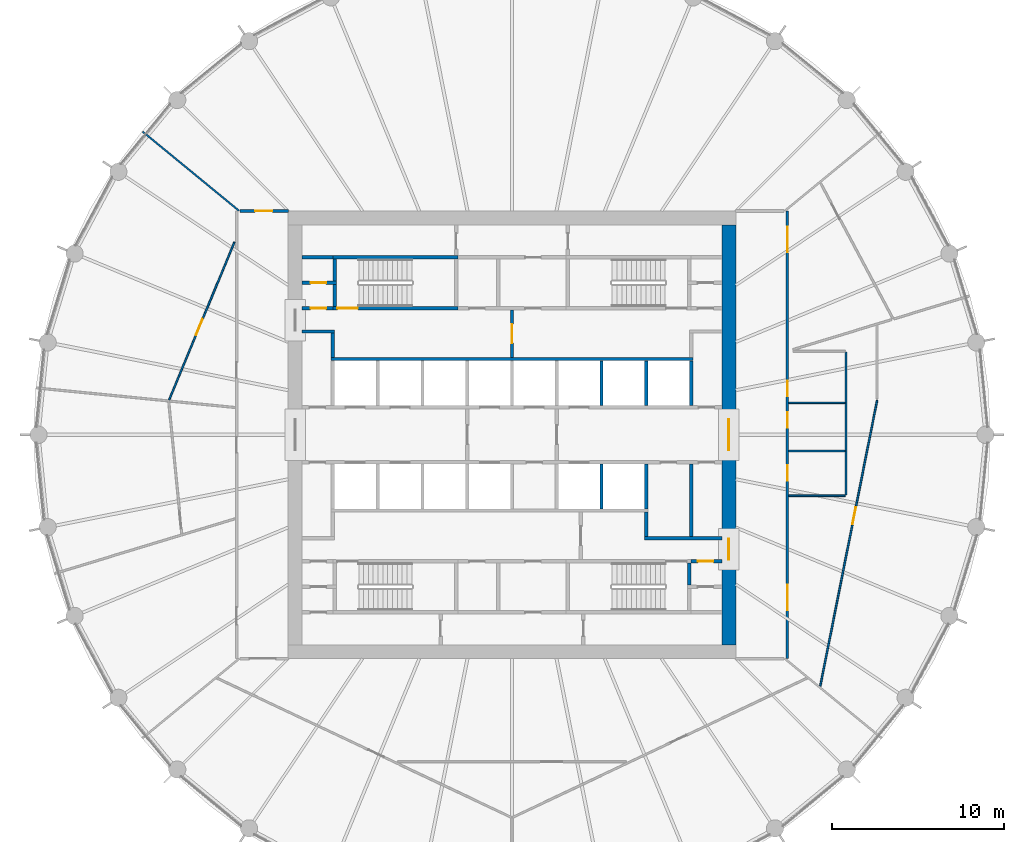
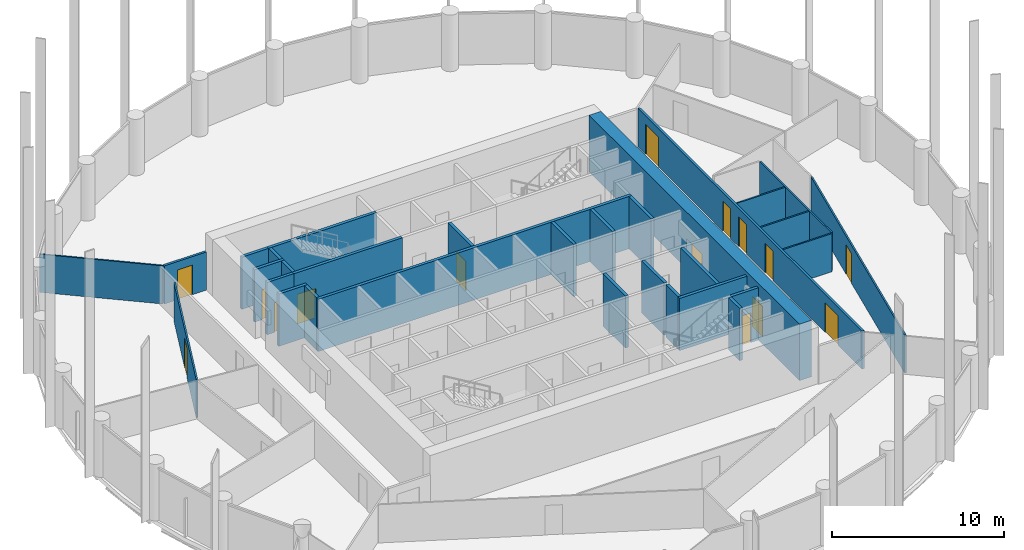
# One storey, part 6 of 9: 31 walls, 15 doors, 15 openings.
"""IFC4 building model written with IfcOpenShell, lengths in metres."""

from ifc_helpers import new_model, si_unit, direction, frame, frame_2d, origin, place, context, subcontext, project, spatial, polyline, rectangle, outline, extrude, material, layer, layer_set, type_object, element, fill, save


model = new_model("IFC4")

# Units and contexts
model_context = context("Model", 3, precision=1e-05, world=origin(), true_north=direction((0.0, 1.0)))
body_context = subcontext(model_context, "Body", "Model", "MODEL_VIEW")
ifc_project = project(units=[si_unit("LENGTHUNIT", "METRE"), si_unit("AREAUNIT", "SQUARE_METRE"), si_unit("VOLUMEUNIT", "CUBIC_METRE"), si_unit("PLANEANGLEUNIT", "RADIAN"), si_unit("MASSUNIT", "GRAM", prefix="KILO")], contexts=[model_context])

# Site, building, storey
site_placement = place(None, origin())
site = spatial("IfcSite", under=ifc_project, at=site_placement, CompositionType="ELEMENT")
building_placement = place(site_placement, origin())
building = spatial("IfcBuilding", under=site, at=building_placement, Name="Corvane Civic Tower", CompositionType="ELEMENT")
storey_placement = place(building_placement, frame((0.0, 0.0, 217.5)))
storey = spatial("IfcBuildingStorey", under=building, at=storey_placement, Name="L51", CompositionType="ELEMENT", Elevation=217.5)

# Wall, openings, doors
ifc_material_1 = material(Name="Concrete C50/60", Category="concrete")
ifc_layer_1 = layer(ifc_material_1, 0.800048828125)
ifc_layer_set_1 = layer_set([ifc_layer_1], Name="Concrete C50/60")
wall_type_1 = type_object("IfcWallType", Name="CORE WALL 800 C50/60", PredefinedType="SHEAR", material=ifc_layer_set_1)
wall_1_placement = place(storey_placement, frame((12.60009765625, -12.199951171875, 0.0), z_axis=(0.0, 0.0, 1.0), x_axis=(0.0, 1.0, 0.0)))
wall_1 = element("IfcWall", 1, at=wall_1_placement, inside=storey, type_object=wall_type_1, Name="W-L51-core-E", PredefinedType="SHEAR", context=body_context, shape_type="SweptSolid", body=[
    extrude(rectangle(XDim=24.39990234375, YDim=0.800048828125, at=frame_2d((12.199951171875, 0.0))), origin(), (0.0, 0.0, 1.0), 4.0),
])
opening_1_placement = place(wall_1_placement, frame((11.300048828125, 0.0, 0.0)))
opening_1 = element("IfcOpeningElement", 2, at=opening_1_placement, cuts=wall_1, Name="Opening L51.C35", PredefinedType="OPENING", context=body_context, shape_type="SweptSolid", body=[
    extrude(rectangle(XDim=1.800048828125, YDim=2.10009765625, at=frame_2d((0.89990234375, 1.050048828125))), frame((0.0, 0.409912109375, 0.0), z_axis=(0.0, -1.0, 0.0), x_axis=(1.0, 0.0, 0.0)), (0.0, 0.0, 1.0), 0.820068359375),
])
opening_2_placement = place(wall_1_placement, frame((4.949951171875, 0.0, 0.0)))
opening_2 = element("IfcOpeningElement", 3, at=opening_2_placement, cuts=wall_1, Name="Opening L51.C37", PredefinedType="OPENING", context=body_context, shape_type="SweptSolid", body=[
    extrude(rectangle(XDim=1.199951171875, YDim=2.10009765625, at=frame_2d((0.60009765625, 1.050048828125))), frame((0.0, 0.409912109375, 0.0), z_axis=(0.0, -1.0, 0.0), x_axis=(1.0, 0.0, 0.0)), (0.0, 0.0, 1.0), 0.820068359375),
])
ifc_material_2 = material(Name="Steel fire door leaf", Category="steel")
door_type_1 = type_object("IfcDoorType", Name="CR-DOOR-CORE-1800", OperationType="DOUBLE_DOOR_SINGLE_SWING", PredefinedType="DOOR", material=ifc_material_2)
door_1_placement = place(opening_1_placement, origin())
door_1 = element("IfcDoor", 4, at=door_1_placement, inside=storey, type_object=door_type_1, Name="L51 door", OperationType="DOUBLE_DOOR_SINGLE_SWING", OverallHeight=2.10009765625, OverallWidth=1.800048828125, PredefinedType="DOOR", context=body_context, shape_type="SweptSolid", body=[
    extrude(rectangle(XDim=1.800048828125, YDim=2.10009765625, at=frame_2d((0.89990234375, 1.050048828125))), frame((0.0, 0.02490234375, 0.0), z_axis=(0.0, -1.0, 0.0), x_axis=(1.0, 0.0, 0.0)), (0.0, 0.0, 1.0), 0.050048828125),
])
fill(opening_1, door_1)
door_2_placement = place(opening_2_placement, origin())
door_2 = element("IfcDoor", 5, at=door_2_placement, inside=storey, type_object=door_type_1, Name="L51 door", OperationType="DOUBLE_DOOR_SINGLE_SWING", OverallHeight=2.10009765625, OverallWidth=1.199951171875, PredefinedType="DOOR", context=body_context, shape_type="SweptSolid", body=[
    extrude(rectangle(XDim=1.199951171875, YDim=2.10009765625, at=frame_2d((0.60009765625, 1.050048828125))), frame((0.0, 0.02490234375, 0.0), z_axis=(0.0, -1.0, 0.0), x_axis=(1.0, 0.0, 0.0)), (0.0, 0.0, 1.0), 0.050048828125),
])
fill(opening_2, door_2)

# Wall, opening, door
ifc_material_3 = material(Name="Concrete C30/37", Category="concrete")
ifc_layer_2 = layer(ifc_material_3, 0.199951171875)
ifc_layer_set_2 = layer_set([ifc_layer_2], Name="Concrete C30/37")
wall_type_2 = type_object("IfcWallType", Name="CR-WALL-200", PredefinedType="PARTITIONING", material=ifc_layer_set_2)
wall_2_placement = place(storey_placement, frame((10.39990234375, -7.35009765625, 0.0), z_axis=(0.0, 0.0, 1.0), x_axis=(1.0, 0.0, 0.0)))
wall_2 = element("IfcWall", 6, at=wall_2_placement, inside=storey, type_object=wall_type_2, Name="L51 core partition wall", PredefinedType="PARTITIONING", context=body_context, shape_type="SweptSolid", body=[
    extrude(rectangle(XDim=1.800048828125, YDim=0.199951171875, at=frame_2d((0.89990234375, 0.0))), origin(), (0.0, 0.0, 1.0), 3.699951171875),
])
opening_3_placement = place(wall_2_placement, frame((0.39990234375, 0.0, 0.0)))
opening_3 = element("IfcOpeningElement", 7, at=opening_3_placement, cuts=wall_2, Name="Opening L51.C24", PredefinedType="OPENING", context=body_context, shape_type="SweptSolid", body=[
    extrude(rectangle(XDim=0.89990234375, YDim=2.10009765625, at=frame_2d((0.449951171875, 1.050048828125))), frame((0.0, 0.10986328125, 0.0), z_axis=(0.0, -1.0, 0.0), x_axis=(1.0, 0.0, 0.0)), (0.0, 0.0, 1.0), 0.219970703125),
])
ifc_material_4 = material(Name="Steel fire door leaf", Category="steel")
door_type_2 = type_object("IfcDoorType", Name="CR-DOOR-900", OperationType="SINGLE_SWING_LEFT", PredefinedType="DOOR", material=ifc_material_4)
door_3_placement = place(opening_3_placement, origin())
door_3 = element("IfcDoor", 8, at=door_3_placement, inside=storey, type_object=door_type_2, Name="L51 door", OperationType="SINGLE_SWING_LEFT", OverallHeight=2.10009765625, OverallWidth=0.89990234375, PredefinedType="DOOR", context=body_context, shape_type="SweptSolid", body=[
    extrude(rectangle(XDim=0.89990234375, YDim=2.10009765625, at=frame_2d((0.449951171875, 1.050048828125))), frame((0.0, 0.02490234375, 0.0), z_axis=(0.0, -1.0, 0.0), x_axis=(1.0, 0.0, 0.0)), (0.0, 0.0, 1.0), 0.050048828125),
])
fill(opening_3, door_3)

wall_3_placement = place(storey_placement, frame((-12.199951171875, 7.35009765625, 0.0), z_axis=(0.0, 0.0, 1.0), x_axis=(1.0, 0.0, 0.0)))
wall_3 = element("IfcWall", 9, at=wall_3_placement, inside=storey, type_object=wall_type_2, Name="L51 core partition wall", PredefinedType="PARTITIONING", context=body_context, shape_type="SweptSolid", body=[
    extrude(rectangle(XDim=1.800048828125, YDim=0.199951171875, at=frame_2d((0.89990234375, 0.0))), origin(), (0.0, 0.0, 1.0), 3.699951171875),
])
opening_4_placement = place(wall_3_placement, frame((0.5, 0.0, 0.0)))
opening_4 = element("IfcOpeningElement", 10, at=opening_4_placement, cuts=wall_3, Name="Opening L51.C17", PredefinedType="OPENING", context=body_context, shape_type="SweptSolid", body=[
    extrude(rectangle(XDim=0.89990234375, YDim=2.10009765625, at=frame_2d((0.449951171875, 1.050048828125))), frame((0.0, 0.10986328125, 0.0), z_axis=(0.0, -1.0, 0.0), x_axis=(1.0, 0.0, 0.0)), (0.0, 0.0, 1.0), 0.219970703125),
])
door_4_placement = place(opening_4_placement, origin())
door_4 = element("IfcDoor", 11, at=door_4_placement, inside=storey, type_object=door_type_2, Name="L51 door", OperationType="SINGLE_SWING_LEFT", OverallHeight=2.10009765625, OverallWidth=0.89990234375, PredefinedType="DOOR", context=body_context, shape_type="SweptSolid", body=[
    extrude(rectangle(XDim=0.89990234375, YDim=2.10009765625, at=frame_2d((0.449951171875, 1.050048828125))), frame((0.0, 0.02490234375, 0.0), z_axis=(0.0, -1.0, 0.0), x_axis=(1.0, 0.0, 0.0)), (0.0, 0.0, 1.0), 0.050048828125),
])
fill(opening_4, door_4)

wall_4_placement = place(storey_placement, frame((-12.199951171875, 8.824951171875, 0.0), z_axis=(0.0, 0.0, 1.0), x_axis=(1.0, 0.0, 0.0)))
wall_4 = element("IfcWall", 12, at=wall_4_placement, inside=storey, type_object=wall_type_2, Name="L51 partition wall", PredefinedType="PARTITIONING", context=body_context, shape_type="SweptSolid", body=[
    extrude(rectangle(XDim=2.0, YDim=0.199951171875, at=frame_2d((1.0, 0.0))), origin(), (0.0, 0.0, 1.0), 3.699951171875),
])
opening_5_placement = place(wall_4_placement, frame((0.5, 0.0, 0.0)))
opening_5 = element("IfcOpeningElement", 13, at=opening_5_placement, cuts=wall_4, Name="Opening L51.C18", PredefinedType="OPENING", context=body_context, shape_type="SweptSolid", body=[
    extrude(rectangle(XDim=0.89990234375, YDim=2.10009765625, at=frame_2d((0.449951171875, 1.050048828125))), frame((0.0, 0.10986328125, 0.0), z_axis=(0.0, -1.0, 0.0), x_axis=(1.0, 0.0, 0.0)), (0.0, 0.0, 1.0), 0.219970703125),
])
door_5_placement = place(opening_5_placement, origin())
door_5 = element("IfcDoor", 14, at=door_5_placement, inside=storey, type_object=door_type_2, Name="L51 door", OperationType="SINGLE_SWING_LEFT", OverallHeight=2.10009765625, OverallWidth=0.89990234375, PredefinedType="DOOR", context=body_context, shape_type="SweptSolid", body=[
    extrude(rectangle(XDim=0.89990234375, YDim=2.10009765625, at=frame_2d((0.449951171875, 1.050048828125))), frame((0.0, 0.02490234375, 0.0), z_axis=(0.0, -1.0, 0.0), x_axis=(1.0, 0.0, 0.0)), (0.0, 0.0, 1.0), 0.050048828125),
])
fill(opening_5, door_5)

wall_5_placement = place(storey_placement, frame((0.0, 4.5, 0.0), z_axis=(0.0, 0.0, 1.0), x_axis=(0.0, 1.0, 0.0)))
wall_5 = element("IfcWall", 15, at=wall_5_placement, inside=storey, type_object=wall_type_2, Name="L51 core partition wall", PredefinedType="PARTITIONING", context=body_context, shape_type="SweptSolid", body=[
    extrude(rectangle(XDim=2.75, YDim=0.199951171875, at=frame_2d((1.375, 0.0))), origin(), (0.0, 0.0, 1.0), 3.699951171875),
])
opening_6_placement = place(wall_5_placement, frame((0.824951171875, 0.0, 0.0)))
opening_6 = element("IfcOpeningElement", 16, at=opening_6_placement, cuts=wall_5, Name="Opening L51.C32", PredefinedType="OPENING", context=body_context, shape_type="SweptSolid", body=[
    extrude(rectangle(XDim=1.10009765625, YDim=2.10009765625, at=frame_2d((0.550048828125, 1.050048828125))), frame((0.0, 0.10986328125, 0.0), z_axis=(0.0, -1.0, 0.0), x_axis=(1.0, 0.0, 0.0)), (0.0, 0.0, 1.0), 0.219970703125),
])
ifc_material_5 = material(Name="Steel fire door leaf", Category="steel")
door_type_3 = type_object("IfcDoorType", Name="CR-DOOR-FFL-1100", OperationType="SINGLE_SWING_LEFT", PredefinedType="DOOR", material=ifc_material_5)
door_6_placement = place(opening_6_placement, origin())
door_6 = element("IfcDoor", 17, at=door_6_placement, inside=storey, type_object=door_type_3, Name="L51 lobby door", OperationType="SINGLE_SWING_LEFT", OverallHeight=2.10009765625, OverallWidth=1.10009765625, PredefinedType="DOOR", context=body_context, shape_type="SweptSolid", body=[
    extrude(rectangle(XDim=1.10009765625, YDim=2.10009765625, at=frame_2d((0.550048828125, 1.050048828125))), frame((0.0, 0.02490234375, 0.0), z_axis=(0.0, -1.0, 0.0), x_axis=(1.0, 0.0, 0.0)), (0.0, 0.0, 1.0), 0.050048828125),
])
fill(opening_6, door_6)

# Walls
wall_6_placement = place(storey_placement, origin())
element("IfcWall", 18, at=wall_6_placement, inside=storey, type_object=wall_type_2, Name="L51 core partition wall", PredefinedType="PARTITIONING", context=body_context, shape_type="SweptSolid", body=[
    extrude(outline(polyline([(12.199951171875, -6.10009765625), (7.699951171875, -6.10009765625), (7.699951171875, -5.89990234375), (12.199951171875, -5.89990234375), (12.199951171875, -6.10009765625)])), origin(), (0.0, 0.0, 1.0), 3.699951171875),
])
wall_7_placement = place(storey_placement, origin())
element("IfcWall", 19, at=wall_7_placement, inside=storey, type_object=wall_type_2, Name="L51 core partition wall", PredefinedType="PARTITIONING", context=body_context, shape_type="SweptSolid", body=[
    extrude(outline(polyline([(10.5, -1.699951171875), (10.5, -5.89990234375), (10.300048828125, -5.89990234375), (10.300048828125, -1.699951171875), (10.5, -1.699951171875)])), origin(), (0.0, 0.0, 1.0), 3.699951171875),
])
wall_8_placement = place(storey_placement, origin())
element("IfcWall", 20, at=wall_8_placement, inside=storey, type_object=wall_type_2, Name="L51 core partition wall", PredefinedType="PARTITIONING", context=body_context, shape_type="SweptSolid", body=[
    extrude(outline(polyline([(5.300048828125, -1.699951171875), (5.300048828125, -4.2998046875), (5.10009765625, -4.2998046875), (5.10009765625, -1.699951171875), (5.300048828125, -1.699951171875)])), origin(), (0.0, 0.0, 1.0), 3.699951171875),
])
wall_9_placement = place(storey_placement, origin())
element("IfcWall", 21, at=wall_9_placement, inside=storey, type_object=wall_type_2, Name="L51 core partition wall", PredefinedType="PARTITIONING", context=body_context, shape_type="SweptSolid", body=[
    extrude(outline(polyline([(7.89990234375, -1.699951171875), (7.89990234375, -4.2998046875), (7.699951171875, -4.2998046875), (7.699951171875, -1.699951171875), (7.89990234375, -1.699951171875)])), origin(), (0.0, 0.0, 1.0), 3.699951171875),
])
wall_10_placement = place(storey_placement, origin())
element("IfcWall", 22, at=wall_10_placement, inside=storey, type_object=wall_type_2, Name="L51 core partition wall", PredefinedType="PARTITIONING", context=body_context, shape_type="SweptSolid", body=[
    extrude(outline(polyline([(7.89990234375, -5.89990234375), (7.699951171875, -5.89990234375), (7.699951171875, -4.5), (7.89990234375, -4.5), (7.89990234375, -5.89990234375)])), origin(), (0.0, 0.0, 1.0), 3.699951171875),
])
wall_11_placement = place(storey_placement, origin())
element("IfcWall", 23, at=wall_11_placement, inside=storey, type_object=wall_type_2, Name="L51 core partition wall", PredefinedType="PARTITIONING", context=body_context, shape_type="SweptSolid", body=[
    extrude(outline(polyline([(10.5, 4.5), (10.5, 4.300048828125), (-10.5, 4.300048828125), (-10.5, 4.5), (10.5, 4.5)])), origin(), (0.0, 0.0, 1.0), 3.699951171875),
])
wall_12_placement = place(storey_placement, origin())
element("IfcWall", 24, at=wall_12_placement, inside=storey, type_object=wall_type_2, Name="L51 core partition wall", PredefinedType="PARTITIONING", context=body_context, shape_type="SweptSolid", body=[
    extrude(outline(polyline([(5.300048828125, 1.699951171875), (5.10009765625, 1.699951171875), (5.10009765625, 4.2998046875), (5.300048828125, 4.2998046875), (5.300048828125, 1.699951171875)])), origin(), (0.0, 0.0, 1.0), 3.699951171875),
])
wall_13_placement = place(storey_placement, origin())
element("IfcWall", 25, at=wall_13_placement, inside=storey, type_object=wall_type_2, Name="L51 core partition wall", PredefinedType="PARTITIONING", context=body_context, shape_type="SweptSolid", body=[
    extrude(outline(polyline([(7.89990234375, 1.699951171875), (7.699951171875, 1.699951171875), (7.699951171875, 4.2998046875), (7.89990234375, 4.2998046875), (7.89990234375, 1.699951171875)])), origin(), (0.0, 0.0, 1.0), 3.699951171875),
])
wall_14_placement = place(storey_placement, origin())
element("IfcWall", 26, at=wall_14_placement, inside=storey, type_object=wall_type_2, Name="L51 core partition wall", PredefinedType="PARTITIONING", context=body_context, shape_type="SweptSolid", body=[
    extrude(outline(polyline([(10.5, 1.699951171875), (10.300048828125, 1.699951171875), (10.300048828125, 4.2998046875), (10.5, 4.2998046875), (10.5, 1.699951171875)])), origin(), (0.0, 0.0, 1.0), 3.699951171875),
])
wall_15_placement = place(storey_placement, origin())
element("IfcWall", 27, at=wall_15_placement, inside=storey, type_object=wall_type_2, Name="L51 core partition wall", PredefinedType="PARTITIONING", context=body_context, shape_type="SweptSolid", body=[
    extrude(outline(polyline([(-10.300048828125, 5.89990234375), (-12.199951171875, 5.89990234375), (-12.199951171875, 6.10009765625), (-10.300048828125, 6.10009765625), (-10.300048828125, 5.89990234375)])), origin(), (0.0, 0.0, 1.0), 3.699951171875),
])
wall_16_placement = place(storey_placement, origin())
element("IfcWall", 28, at=wall_16_placement, inside=storey, type_object=wall_type_2, Name="L51 core partition wall", PredefinedType="PARTITIONING", context=body_context, shape_type="SweptSolid", body=[
    extrude(outline(polyline([(-10.300048828125, 4.5), (-10.5, 4.5), (-10.5, 5.89990234375), (-10.300048828125, 5.89990234375), (-10.300048828125, 4.5)])), origin(), (0.0, 0.0, 1.0), 3.699951171875),
])
wall_17_placement = place(storey_placement, origin())
element("IfcWall", 29, at=wall_17_placement, inside=storey, type_object=wall_type_2, Name="L51 core partition wall", PredefinedType="PARTITIONING", context=body_context, shape_type="SweptSolid", body=[
    extrude(outline(polyline([(-10.39990234375, 10.199951171875), (-12.199951171875, 10.199951171875), (-12.199951171875, 10.39990234375), (-10.39990234375, 10.39990234375), (-10.39990234375, 10.199951171875)])), origin(), (0.0, 0.0, 1.0), 3.699951171875),
])

# Wall, opening, door
ifc_material_6 = material(Name="Plasterboard")
ifc_layer_3 = layer(ifc_material_6, 0.10009765625)
ifc_layer_set_3 = layer_set([ifc_layer_3], Name="Plasterboard")
wall_type_3 = type_object("IfcWallType", Name="Partition 100 plasterboard on studs", PredefinedType="PARTITIONING", material=ifc_layer_set_3)
wall_18_placement = place(storey_placement, frame((17.9072265625, -14.60107421875, 0.0), z_axis=(0.0, 0.0, 1.0), x_axis=(0.195095122921, 0.980784325432, 0.0)))
wall_18 = element("IfcWall", 30, at=wall_18_placement, inside=storey, type_object=wall_type_3, Name="Partition L51.007", PredefinedType="PARTITIONING", context=body_context, shape_type="SweptSolid", body=[
    extrude(rectangle(XDim=16.923828125, YDim=0.10009765625, at=frame_2d((8.4619140625, 0.0))), origin(), (0.0, 0.0, 1.0), 2.699951171875),
])
opening_7_placement = place(wall_18_placement, frame((9.586669921875, 0.0, 0.0)))
opening_7 = element("IfcOpeningElement", 31, at=opening_7_placement, cuts=wall_18, Name="Opening L51.008", PredefinedType="OPENING", context=body_context, shape_type="SweptSolid", body=[
    extrude(rectangle(XDim=1.0, YDim=2.10009765625, at=frame_2d((0.5, 1.050048828125))), frame((0.0, 0.06005859375, 0.0), z_axis=(0.0, -1.0, 0.0), x_axis=(1.0, 0.0, 0.0)), (0.0, 0.0, 1.0), 0.1201171875),
])
ifc_material_7 = material(Name="Timber", Category="wood")
door_type_4 = type_object("IfcDoorType", Name="Single door 1000", OperationType="NOTDEFINED", PredefinedType="DOOR", material=ifc_material_7)
door_7_placement = place(opening_7_placement, frame((1.0, 0.0, 0.0), z_axis=(0.0, 0.0, 1.0), x_axis=(-1.0, 0.0, 0.0)))
door_7 = element("IfcDoor", 32, at=door_7_placement, inside=storey, type_object=door_type_4, Name="Door L51.008", OperationType="SINGLE_SWING_LEFT", OverallHeight=2.10009765625, OverallWidth=1.0, PredefinedType="DOOR", context=body_context, shape_type="SweptSolid", body=[
    extrude(rectangle(XDim=1.0, YDim=2.10009765625, at=frame_2d((0.5, 1.050048828125))), frame((0.0, 0.02490234375, 0.0), z_axis=(0.0, -1.0, 0.0), x_axis=(1.0, 0.0, 0.0)), (0.0, 0.0, 1.0), 0.050048828125),
])
fill(opening_7, door_7)

# Walls
wall_19_placement = place(storey_placement, frame((16.074951171875, -3.54638671875, 0.0), z_axis=(0.0, 0.0, 1.0), x_axis=(1.0, 0.0, 0.0)))
element("IfcWall", 33, at=wall_19_placement, inside=storey, type_object=wall_type_3, Name="Partition L51.014", PredefinedType="PARTITIONING", context=body_context, shape_type="SweptSolid", body=[
    extrude(rectangle(XDim=3.275146484375, YDim=0.10009765625, at=frame_2d((1.6376953125, 0.0))), origin(), (0.0, 0.0, 1.0), 2.699951171875),
])
wall_20_placement = place(storey_placement, frame((19.39990234375, -3.49658203125, 0.0), z_axis=(0.0, 0.0, 1.0), x_axis=(0.0, 1.0, 0.0)))
element("IfcWall", 34, at=wall_20_placement, inside=storey, type_object=wall_type_3, Name="Partition L51.015", PredefinedType="PARTITIONING", context=body_context, shape_type="SweptSolid", body=[
    extrude(rectangle(XDim=8.300048828125, YDim=0.10009765625, at=frame_2d((4.14990234375, 0.0))), origin(), (0.0, 0.0, 1.0), 2.699951171875),
])
for number, where, z_axis, x_axis, name in (
    (35, (16.074951171875, -0.946533203125, 0.0), (0.0, 0.0, 1.0), (1.0, 0.0, 0.0), "Partition L51.016"),
    (36, (16.074951171875, 1.853515625, 0.0), (0.0, 0.0, 1.0), (1.0, 0.0, 0.0), "Partition L51.018"),
):
    element("IfcWall", number, at=place(storey_placement, frame(where, z_axis=z_axis, x_axis=x_axis)), inside=storey, type_object=wall_type_3, Name=name, PredefinedType="PARTITIONING", context=body_context, shape_type="SweptSolid", body=[
        extrude(rectangle(XDim=3.275146484375, YDim=0.10009765625, at=frame_2d((1.6376953125, 0.0))), origin(), (0.0, 0.0, 1.0), 2.699951171875),
    ])

# Wall, opening, door
wall_21_placement = place(storey_placement, frame((-19.918701171875, 2.026611328125, 0.0), z_axis=(0.0, 0.0, 1.0), x_axis=(0.382701629268, 0.923871994897, 0.0)))
wall_21 = element("IfcWall", 37, at=wall_21_placement, inside=storey, type_object=wall_type_3, Name="Partition L51.019", PredefinedType="PARTITIONING", context=body_context, shape_type="SweptSolid", body=[
    extrude(rectangle(XDim=9.923095703125, YDim=0.10009765625, at=frame_2d((4.96142578125, 0.0))), origin(), (0.0, 0.0, 1.0), 2.699951171875),
])
opening_8_placement = place(wall_21_placement, frame((4.078857421875, 0.0, 0.0)))
opening_8 = element("IfcOpeningElement", 38, at=opening_8_placement, cuts=wall_21, Name="Opening L51.016", PredefinedType="OPENING", context=body_context, shape_type="SweptSolid", body=[
    extrude(rectangle(XDim=1.0, YDim=2.10009765625, at=frame_2d((0.5, 1.050048828125))), frame((0.0, 0.06005859375, 0.0), z_axis=(0.0, -1.0, 0.0), x_axis=(1.0, 0.0, 0.0)), (0.0, 0.0, 1.0), 0.1201171875),
])
door_8_placement = place(opening_8_placement, origin())
door_8 = element("IfcDoor", 39, at=door_8_placement, inside=storey, type_object=door_type_4, Name="Door L51.016", OperationType="SINGLE_SWING_LEFT", OverallHeight=2.10009765625, OverallWidth=1.0, PredefinedType="DOOR", context=body_context, shape_type="SweptSolid", body=[
    extrude(rectangle(XDim=1.0, YDim=2.10009765625, at=frame_2d((0.5, 1.050048828125))), frame((0.0, 0.02490234375, 0.0), z_axis=(0.0, -1.0, 0.0), x_axis=(1.0, 0.0, 0.0)), (0.0, 0.0, 1.0), 0.050048828125),
])
fill(opening_8, door_8)

# Wall
wall_22_placement = place(storey_placement, frame((-21.451171875, 17.6044921875, 0.0), z_axis=(0.0, 0.0, 1.0), x_axis=(0.772997895748, -0.634408585352, 0.0)))
element("IfcWall", 40, at=wall_22_placement, inside=storey, type_object=wall_type_3, Name="Partition L51.027", PredefinedType="PARTITIONING", context=body_context, shape_type="SweptSolid", body=[
    extrude(rectangle(XDim=7.240234375, YDim=0.10009765625, at=frame_2d((3.6201171875, 0.0))), origin(), (0.0, 0.0, 1.0), 2.699951171875),
])

# Wall, opening, door
ifc_material_8 = material(Name="Concrete C50/60", Category="concrete")
ifc_layer_4 = layer(ifc_material_8, 0.199951171875)
ifc_layer_set_4 = layer_set([ifc_layer_4], Name="Concrete C50/60")
wall_type_4 = type_object("IfcWallType", Name="ST-WALL-200", PredefinedType="SHEAR", material=ifc_layer_set_4)
wall_23_placement = place(storey_placement, frame((-10.39990234375, 7.35009765625, 0.0), z_axis=(0.0, 0.0, 1.0), x_axis=(1.0, 0.0, 0.0)))
wall_23 = element("IfcWall", 41, at=wall_23_placement, inside=storey, type_object=wall_type_4, Name="L51 stair enclosure wall", PredefinedType="SHEAR", context=body_context, shape_type="SweptSolid", body=[
    extrude(rectangle(XDim=7.25, YDim=0.199951171875, at=frame_2d((3.625, 0.0))), origin(), (0.0, 0.0, 1.0), 3.699951171875),
])
opening_9_placement = place(wall_23_placement, frame((0.25, 0.0, 0.0)))
opening_9 = element("IfcOpeningElement", 42, at=opening_9_placement, cuts=wall_23, Name="Opening L51.C27", PredefinedType="OPENING", context=body_context, shape_type="SweptSolid", body=[
    extrude(rectangle(XDim=1.199951171875, YDim=2.10009765625, at=frame_2d((0.60009765625, 1.050048828125))), frame((0.0, 0.10986328125, 0.0), z_axis=(0.0, -1.0, 0.0), x_axis=(1.0, 0.0, 0.0)), (0.0, 0.0, 1.0), 0.219970703125),
])
ifc_material_9 = material(Name="Steel fire door leaf", Category="steel")
door_type_5 = type_object("IfcDoorType", Name="ST-DOOR-1200", OperationType="SINGLE_SWING_RIGHT", PredefinedType="DOOR", material=ifc_material_9)
door_9_placement = place(opening_9_placement, origin())
door_9 = element("IfcDoor", 43, at=door_9_placement, inside=storey, type_object=door_type_5, Name="L51 stair door", OperationType="SINGLE_SWING_RIGHT", OverallHeight=2.10009765625, OverallWidth=1.199951171875, PredefinedType="DOOR", context=body_context, shape_type="SweptSolid", body=[
    extrude(rectangle(XDim=1.199951171875, YDim=2.10009765625, at=frame_2d((0.60009765625, 1.050048828125))), frame((0.0, 0.02490234375, 0.0), z_axis=(0.0, -1.0, 0.0), x_axis=(1.0, 0.0, 0.0)), (0.0, 0.0, 1.0), 0.050048828125),
])
fill(opening_9, door_9)

# Walls
wall_24_placement = place(storey_placement, origin())
element("IfcWall", 44, at=wall_24_placement, inside=storey, type_object=wall_type_4, Name="L51 stair enclosure wall", PredefinedType="SHEAR", context=body_context, shape_type="SweptSolid", body=[
    extrude(outline(polyline([(-3.14990234375, 10.199951171875), (-10.39990234375, 10.199951171875), (-10.39990234375, 10.39990234375), (-3.14990234375, 10.39990234375), (-3.14990234375, 10.199951171875)])), origin(), (0.0, 0.0, 1.0), 3.699951171875),
])
wall_25_placement = place(storey_placement, origin())
element("IfcWall", 45, at=wall_25_placement, inside=storey, type_object=wall_type_4, Name="L51 stair enclosure wall", PredefinedType="SHEAR", context=body_context, shape_type="SweptSolid", body=[
    extrude(outline(polyline([(-10.199951171875, 8.72509765625), (-10.199951171875, 7.449951171875), (-10.39990234375, 7.449951171875), (-10.39990234375, 8.72509765625), (-10.199951171875, 8.72509765625)])), origin(), (0.0, 0.0, 1.0), 3.699951171875),
])
wall_26_placement = place(storey_placement, origin())
element("IfcWall", 46, at=wall_26_placement, inside=storey, type_object=wall_type_4, Name="L51 stair enclosure wall", PredefinedType="SHEAR", context=body_context, shape_type="SweptSolid", body=[
    extrude(outline(polyline([(10.39990234375, -7.449951171875), (10.39990234375, -8.72509765625), (10.199951171875, -8.72509765625), (10.199951171875, -7.449951171875), (10.39990234375, -7.449951171875)])), origin(), (0.0, 0.0, 1.0), 3.699951171875),
])
wall_27_placement = place(storey_placement, origin())
element("IfcWall", 47, at=wall_27_placement, inside=storey, type_object=wall_type_4, Name="L51 stair enclosure wall", PredefinedType="SHEAR", context=body_context, shape_type="SweptSolid", body=[
    extrude(outline(polyline([(-10.199951171875, 8.925048828125), (-10.39990234375, 8.925048828125), (-10.39990234375, 10.199951171875), (-10.199951171875, 10.199951171875), (-10.199951171875, 8.925048828125)])), origin(), (0.0, 0.0, 1.0), 3.699951171875),
])

# Wall, openings, doors
ifc_material_10 = material(Name="Plasterboard")
ifc_layer_5 = layer(ifc_material_10, 0.14990234375)
ifc_layer_set_5 = layer_set([ifc_layer_5], Name="Plasterboard")
wall_type_5 = type_object("IfcWallType", Name="Tenancy wall 150 EI 60", PredefinedType="PARTITIONING", material=ifc_layer_set_5)
wall_28_placement = place(storey_placement, frame((16.0, -13.0, 0.0), z_axis=(0.0, 0.0, 1.0), x_axis=(0.0, 1.0, 0.0)))
wall_28 = element("IfcWall", 48, at=wall_28_placement, inside=storey, type_object=wall_type_5, Name="Partition L51.011", PredefinedType="PARTITIONING", context=body_context, shape_type="SweptSolid", body=[
    extrude(rectangle(XDim=26.0, YDim=0.14990234375, at=frame_2d((13.0, 0.0))), origin(), (0.0, 0.0, 1.0), 2.699951171875),
])
opening_10_placement = place(wall_28_placement, frame((23.593505859375, 0.0, 0.0)))
opening_10 = element("IfcOpeningElement", 49, at=opening_10_placement, cuts=wall_28, Name="Opening L51.007", PredefinedType="OPENING", context=body_context, shape_type="SweptSolid", body=[
    extrude(rectangle(XDim=1.5, YDim=2.10009765625, at=frame_2d((0.75, 1.050048828125))), frame((0.0, 0.0849609375, 0.0), z_axis=(0.0, -1.0, 0.0), x_axis=(1.0, 0.0, 0.0)), (0.0, 0.0, 1.0), 0.169921875),
])
opening_11_placement = place(wall_28_placement, frame((2.7958984375, 0.0, 0.0)))
opening_11 = element("IfcOpeningElement", 50, at=opening_11_placement, cuts=wall_28, Name="Opening L51.009", PredefinedType="OPENING", context=body_context, shape_type="SweptSolid", body=[
    extrude(rectangle(XDim=1.5, YDim=2.10009765625, at=frame_2d((0.75, 1.050048828125))), frame((0.0, 0.0849609375, 0.0), z_axis=(0.0, -1.0, 0.0), x_axis=(1.0, 0.0, 0.0)), (0.0, 0.0, 1.0), 0.169921875),
])
opening_12_placement = place(wall_28_placement, frame((15.246826171875, 0.0, 0.0)))
opening_12 = element("IfcOpeningElement", 51, at=opening_12_placement, cuts=wall_28, Name="Opening L51.010", PredefinedType="OPENING", context=body_context, shape_type="SweptSolid", body=[
    extrude(rectangle(XDim=0.89990234375, YDim=2.10009765625, at=frame_2d((0.449951171875, 1.050048828125))), frame((0.0, 0.0849609375, 0.0), z_axis=(0.0, -1.0, 0.0), x_axis=(1.0, 0.0, 0.0)), (0.0, 0.0, 1.0), 0.169921875),
])
opening_13_placement = place(wall_28_placement, frame((13.3955078125, 0.0, 0.0)))
opening_13 = element("IfcOpeningElement", 52, at=opening_13_placement, cuts=wall_28, Name="Opening L51.011", PredefinedType="OPENING", context=body_context, shape_type="SweptSolid", body=[
    extrude(rectangle(XDim=0.89990234375, YDim=2.10009765625, at=frame_2d((0.449951171875, 1.050048828125))), frame((0.0, 0.0849609375, 0.0), z_axis=(0.0, -1.0, 0.0), x_axis=(1.0, 0.0, 0.0)), (0.0, 0.0, 1.0), 0.169921875),
])
opening_14_placement = place(wall_28_placement, frame((10.332763671875, 0.0, 0.0)))
opening_14 = element("IfcOpeningElement", 53, at=opening_14_placement, cuts=wall_28, Name="Opening L51.012", PredefinedType="OPENING", context=body_context, shape_type="SweptSolid", body=[
    extrude(rectangle(XDim=0.89990234375, YDim=2.10009765625, at=frame_2d((0.449951171875, 1.050048828125))), frame((0.0, 0.0849609375, 0.0), z_axis=(0.0, -1.0, 0.0), x_axis=(1.0, 0.0, 0.0)), (0.0, 0.0, 1.0), 0.169921875),
])
ifc_material_11 = material(Name="Steel and timber", Category="steel")
door_type_6 = type_object("IfcDoorType", Name="Fire door FD30S 900", OperationType="NOTDEFINED", PredefinedType="DOOR", material=ifc_material_11)
door_10_placement = place(opening_12_placement, frame((0.89990234375, 0.0, 0.0), z_axis=(0.0, 0.0, 1.0), x_axis=(-1.0, 0.0, 0.0)))
door_10 = element("IfcDoor", 54, at=door_10_placement, inside=storey, type_object=door_type_6, Name="Door L51.010", OperationType="SINGLE_SWING_LEFT", OverallHeight=2.10009765625, OverallWidth=0.89990234375, PredefinedType="DOOR", context=body_context, shape_type="SweptSolid", body=[
    extrude(rectangle(XDim=0.89990234375, YDim=2.10009765625, at=frame_2d((0.449951171875, 1.050048828125))), frame((0.0, 0.02490234375, 0.0), z_axis=(0.0, -1.0, 0.0), x_axis=(1.0, 0.0, 0.0)), (0.0, 0.0, 1.0), 0.050048828125),
])
fill(opening_12, door_10)
door_11_placement = place(opening_13_placement, frame((0.89990234375, 0.0, 0.0), z_axis=(0.0, 0.0, 1.0), x_axis=(-1.0, 0.0, 0.0)))
door_11 = element("IfcDoor", 55, at=door_11_placement, inside=storey, type_object=door_type_6, Name="Door L51.011", OperationType="SINGLE_SWING_LEFT", OverallHeight=2.10009765625, OverallWidth=0.89990234375, PredefinedType="DOOR", context=body_context, shape_type="SweptSolid", body=[
    extrude(rectangle(XDim=0.89990234375, YDim=2.10009765625, at=frame_2d((0.449951171875, 1.050048828125))), frame((0.0, 0.02490234375, 0.0), z_axis=(0.0, -1.0, 0.0), x_axis=(1.0, 0.0, 0.0)), (0.0, 0.0, 1.0), 0.050048828125),
])
fill(opening_13, door_11)
door_12_placement = place(opening_14_placement, frame((0.89990234375, 0.0, 0.0), z_axis=(0.0, 0.0, 1.0), x_axis=(-1.0, 0.0, 0.0)))
door_12 = element("IfcDoor", 56, at=door_12_placement, inside=storey, type_object=door_type_6, Name="Door L51.012", OperationType="SINGLE_SWING_RIGHT", OverallHeight=2.10009765625, OverallWidth=0.89990234375, PredefinedType="DOOR", context=body_context, shape_type="SweptSolid", body=[
    extrude(rectangle(XDim=0.89990234375, YDim=2.10009765625, at=frame_2d((0.449951171875, 1.050048828125))), frame((0.0, 0.02490234375, 0.0), z_axis=(0.0, -1.0, 0.0), x_axis=(1.0, 0.0, 0.0)), (0.0, 0.0, 1.0), 0.050048828125),
])
fill(opening_14, door_12)
ifc_material_12 = material(Name="Steel and timber", Category="steel")
door_type_7 = type_object("IfcDoorType", Name="Fire door FD60 double 1500", OperationType="NOTDEFINED", PredefinedType="DOOR", material=ifc_material_12)
door_13_placement = place(opening_10_placement, frame((1.5, 0.0, 0.0), z_axis=(0.0, 0.0, 1.0), x_axis=(-1.0, 0.0, 0.0)))
door_13 = element("IfcDoor", 57, at=door_13_placement, inside=storey, type_object=door_type_7, Name="Door L51.007", OperationType="DOUBLE_DOOR_SINGLE_SWING", OverallHeight=2.10009765625, OverallWidth=1.5, PredefinedType="DOOR", context=body_context, shape_type="SweptSolid", body=[
    extrude(rectangle(XDim=1.5, YDim=2.10009765625, at=frame_2d((0.75, 1.050048828125))), frame((0.0, 0.02490234375, 0.0), z_axis=(0.0, -1.0, 0.0), x_axis=(1.0, 0.0, 0.0)), (0.0, 0.0, 1.0), 0.050048828125),
])
fill(opening_10, door_13)
door_14_placement = place(opening_11_placement, frame((1.5, 0.0, 0.0), z_axis=(0.0, 0.0, 1.0), x_axis=(-1.0, 0.0, 0.0)))
door_14 = element("IfcDoor", 58, at=door_14_placement, inside=storey, type_object=door_type_7, Name="Door L51.009", OperationType="DOUBLE_DOOR_SINGLE_SWING", OverallHeight=2.10009765625, OverallWidth=1.5, PredefinedType="DOOR", context=body_context, shape_type="SweptSolid", body=[
    extrude(rectangle(XDim=1.5, YDim=2.10009765625, at=frame_2d((0.75, 1.050048828125))), frame((0.0, 0.02490234375, 0.0), z_axis=(0.0, -1.0, 0.0), x_axis=(1.0, 0.0, 0.0)), (0.0, 0.0, 1.0), 0.050048828125),
])
fill(opening_11, door_14)

# Wall, opening, door
wall_29_placement = place(storey_placement, frame((-15.813720703125, 13.0, 0.0), z_axis=(0.0, 0.0, 1.0), x_axis=(1.0, 0.0, 0.0)))
wall_29 = element("IfcWall", 59, at=wall_29_placement, inside=storey, type_object=wall_type_5, Name="Partition L51.025", PredefinedType="PARTITIONING", context=body_context, shape_type="SweptSolid", body=[
    extrude(rectangle(XDim=2.82373046875, YDim=0.14990234375, at=frame_2d((1.411865234375, 0.0))), origin(), (0.0, 0.0, 1.0), 2.699951171875),
])
opening_15_placement = place(wall_29_placement, frame((0.894287109375, 0.0, 0.0)))
opening_15 = element("IfcOpeningElement", 60, at=opening_15_placement, cuts=wall_29, Name="Opening L51.001", PredefinedType="OPENING", context=body_context, shape_type="SweptSolid", body=[
    extrude(rectangle(XDim=1.0, YDim=2.10009765625, at=frame_2d((0.5, 1.050048828125))), frame((0.0, 0.0849609375, 0.0), z_axis=(0.0, -1.0, 0.0), x_axis=(1.0, 0.0, 0.0)), (0.0, 0.0, 1.0), 0.169921875),
])
ifc_material_13 = material(Name="Steel and timber", Category="steel")
door_type_8 = type_object("IfcDoorType", Name="Fire door FD30S 1000", OperationType="NOTDEFINED", PredefinedType="DOOR", material=ifc_material_13)
door_15_placement = place(opening_15_placement, origin())
door_15 = element("IfcDoor", 61, at=door_15_placement, inside=storey, type_object=door_type_8, Name="Door L51.001", OperationType="SINGLE_SWING_LEFT", OverallHeight=2.10009765625, OverallWidth=1.0, PredefinedType="DOOR", context=body_context, shape_type="SweptSolid", body=[
    extrude(rectangle(XDim=1.0, YDim=2.10009765625, at=frame_2d((0.5, 1.050048828125))), frame((0.0, 0.02490234375, 0.0), z_axis=(0.0, -1.0, 0.0), x_axis=(1.0, 0.0, 0.0)), (0.0, 0.0, 1.0), 0.050048828125),
])
fill(opening_15, door_15)

save(model, "model.ifc")
